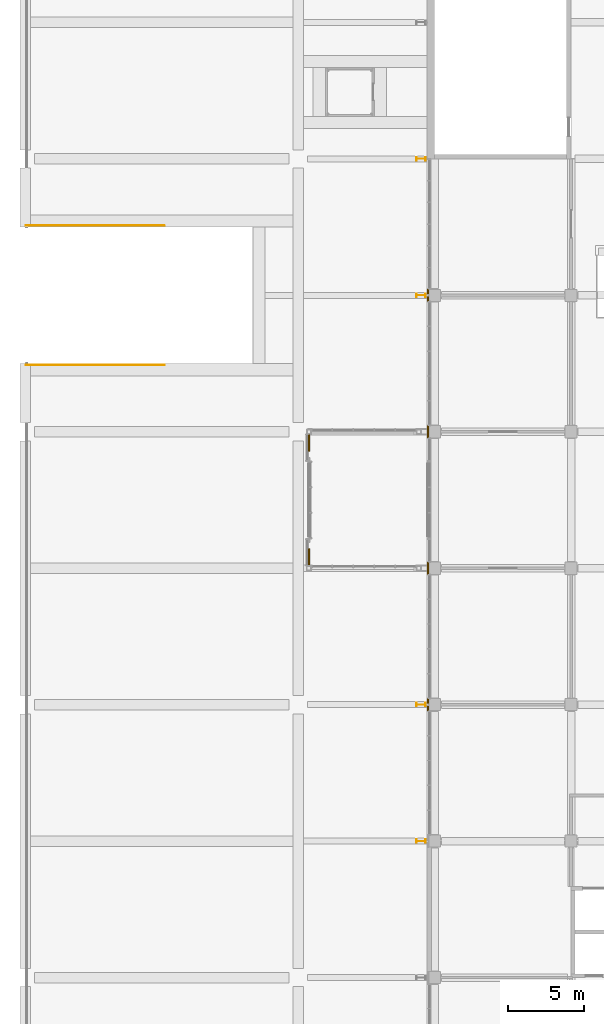
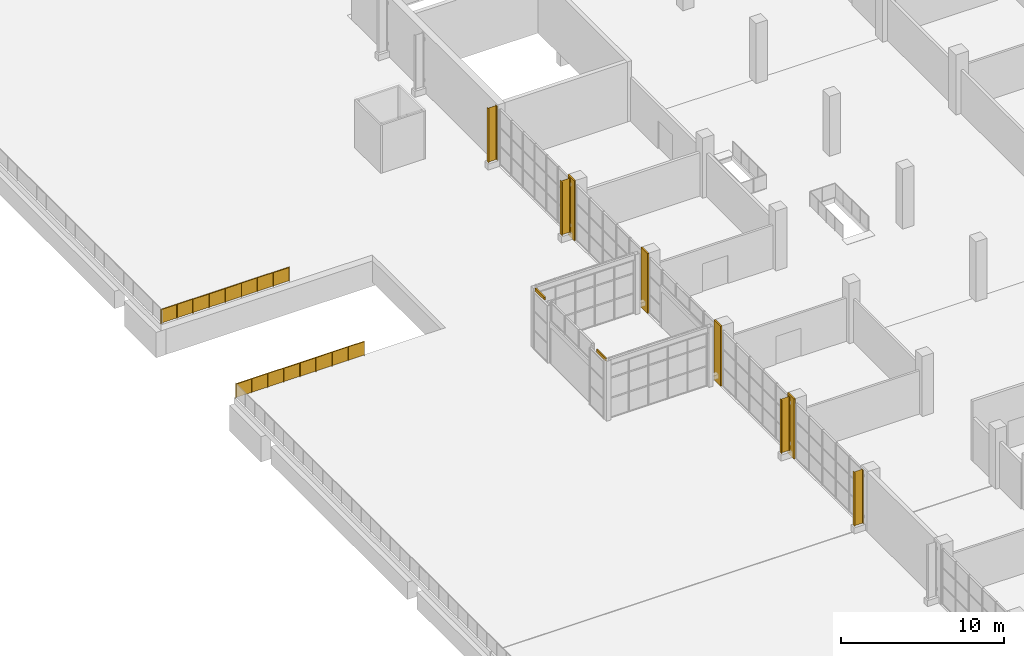
# One storey, part 147 of 168: 6 coverings, 4 shading devices, 2 railings.
"""IFC4 building model written with IfcOpenShell, lengths in metres."""

from ifc_helpers import new_model, si_unit, direction, frame, origin, origin_2d, place, context, subcontext, project, spatial, polyline, circle, i_section, outline, extrude, material, layer, layer_set, material_profile, profile_set, type_object, element, save


model = new_model("IFC4")

# Units and contexts
model_context = context("Model", 3, precision=1e-05, world=origin(), true_north=direction((0.0, 1.0)))
body_context = subcontext(model_context, "Body", "Model", "MODEL_VIEW")
ifc_project = project(units=[si_unit("LENGTHUNIT", "METRE"), si_unit("AREAUNIT", "SQUARE_METRE"), si_unit("VOLUMEUNIT", "CUBIC_METRE"), si_unit("PLANEANGLEUNIT", "RADIAN"), si_unit("MASSUNIT", "GRAM", prefix="KILO")], contexts=[model_context])

# Site, building, storey
site_placement = place(None, origin())
site = spatial("IfcSite", under=ifc_project, at=site_placement, CompositionType="ELEMENT")
building_placement = place(site_placement, origin())
building = spatial("IfcBuilding", under=site, at=building_placement, Name="Silverbay Arena", CompositionType="ELEMENT")
storey_placement = place(building_placement, frame((0.0, 0.0, 7.0)))
storey = spatial("IfcBuildingStorey", under=building, at=storey_placement, Name="L01", CompositionType="ELEMENT", Elevation=7.0)

# Coverings
ifc_material_1 = material(Name="Aluminium composite cladding", Category="aluminium")
ifc_layer_1 = layer(ifc_material_1, 0.10009765625)
ifc_layer_set_1 = layer_set([ifc_layer_1], Name="Aluminium composite cladding")
covering_type_1 = type_object("IfcCoveringType", Name="Canopy band cladding 100", PredefinedType="CLADDING", material=ifc_layer_set_1)
covering_1_placement = place(storey_placement, frame((0.0, 0.0, 4.300048828125)))
element("IfcCovering", 1, at=covering_1_placement, inside=storey, type_object=covering_type_1, Name="Canopy band cladding", PredefinedType="CLADDING", context=body_context, shape_type="SweptSolid", body=[
    extrude(outline(polyline([(18.64990234375, 99.14990234375), (18.75, 99.14990234375), (18.75, 100.300048828125), (18.64990234375, 100.300048828125), (18.64990234375, 99.14990234375)])), origin(), (0.0, 0.0, 1.0), 0.199951171875),
])
covering_2_placement = place(storey_placement, frame((0.0, 0.0, 4.300048828125)))
element("IfcCovering", 2, at=covering_2_placement, inside=storey, type_object=covering_type_1, Name="Canopy band cladding", PredefinedType="CLADDING", context=body_context, shape_type="SweptSolid", body=[
    extrude(outline(polyline([(18.64990234375, 106.699951171875), (18.75, 106.699951171875), (18.75, 107.85009765625), (18.64990234375, 107.85009765625), (18.64990234375, 106.699951171875)])), origin(), (0.0, 0.0, 1.0), 0.199951171875),
])
ifc_material_2 = material(Name="Aluminium composite cladding", Category="aluminium")
ifc_layer_2 = layer(ifc_material_2, 0.10009765625)
ifc_layer_set_2 = layer_set([ifc_layer_2], Name="Aluminium composite cladding")
covering_type_2 = type_object("IfcCoveringType", Name="Column cladding 100", PredefinedType="CLADDING", material=ifc_layer_set_2)
covering_3_placement = place(storey_placement, origin())
element("IfcCovering", 3, at=covering_3_placement, inside=storey, type_object=covering_type_2, Name="West column cladding L01 34", PredefinedType="CLADDING", context=body_context, shape_type="SweptSolid", body=[
    extrude(outline(polyline([(26.5, 89.60009765625), (26.60009765625, 89.60009765625), (26.60009765625, 90.39990234375), (26.5, 90.39990234375), (26.5, 89.60009765625)])), origin(), (0.0, 0.0, 1.0), 4.5),
])
covering_4_placement = place(storey_placement, origin())
element("IfcCovering", 4, at=covering_4_placement, inside=storey, type_object=covering_type_2, Name="West column cladding L01 35", PredefinedType="CLADDING", context=body_context, shape_type="SweptSolid", body=[
    extrude(outline(polyline([(26.5, 98.60009765625), (26.60009765625, 98.60009765625), (26.60009765625, 99.39990234375), (26.5, 99.39990234375), (26.5, 98.60009765625)])), origin(), (0.0, 0.0, 1.0), 4.5),
])
covering_5_placement = place(storey_placement, origin())
element("IfcCovering", 5, at=covering_5_placement, inside=storey, type_object=covering_type_2, Name="West column cladding L01 36", PredefinedType="CLADDING", context=body_context, shape_type="SweptSolid", body=[
    extrude(outline(polyline([(26.5, 107.60009765625), (26.60009765625, 107.60009765625), (26.60009765625, 108.39990234375), (26.5, 108.39990234375), (26.5, 107.60009765625)])), origin(), (0.0, 0.0, 1.0), 4.5),
])
covering_6_placement = place(storey_placement, origin())
element("IfcCovering", 6, at=covering_6_placement, inside=storey, type_object=covering_type_2, Name="West column cladding L01 37", PredefinedType="CLADDING", context=body_context, shape_type="SweptSolid", body=[
    extrude(outline(polyline([(26.5, 116.60009765625), (26.60009765625, 116.60009765625), (26.60009765625, 117.39990234375), (26.5, 117.39990234375), (26.5, 116.60009765625)])), origin(), (0.0, 0.0, 1.0), 4.5),
])

# Railings
ifc_material_3 = material(Name="Stainless steel", Category="steel")
railing_type = type_object("IfcRailingType", Name="Stair guard 1100", PredefinedType="GUARDRAIL", material=ifc_material_3)
railing_1_placement = place(storey_placement, frame((0.050048828125, 112.39990234375, 0.0)))
element("IfcRailing", 7, at=railing_1_placement, inside=storey, type_object=railing_type, Name="Deck stair DS2 well edge guard left", PredefinedType="GUARDRAIL", context=body_context, shape_type="SweptSolid", body=[
    extrude(circle(Radius=0.02392578125, at=origin_2d()), frame((0.0, 0.0, 1.076171875), z_axis=(1.0, 0.0, 0.0), x_axis=(0.0, 1.0, 0.0)), (0.0, 0.0, 1.0), 9.112060546875),
    extrude(outline(polyline([(-0.008056640625, 0.050048828125), (1.14697265625, 0.050048828125), (1.14697265625, 1.052978515625), (-0.008056640625, 1.052978515625), (-0.008056640625, 0.050048828125)])), frame((0.0, 0.0029296875, 0.0), z_axis=(0.0, -1.0, 0.0), x_axis=(1.0, 0.0, 0.0)), (0.0, 0.0, 1.0), 0.006103515625),
    extrude(outline(polyline([(-0.008056640625, 0.050048828125), (1.14697265625, 0.050048828125), (1.14697265625, 1.052978515625), (-0.008056640625, 1.052978515625), (-0.008056640625, 0.050048828125)])), frame((1.138916015625, 0.0029296875, 0.0), z_axis=(0.0, -1.0, 0.0), x_axis=(1.0, 0.0, 0.0)), (0.0, 0.0, 1.0), 0.006103515625),
    extrude(outline(polyline([(-0.008056640625, 0.050048828125), (1.14697265625, 0.050048828125), (1.14697265625, 1.052978515625), (-0.008056640625, 1.052978515625), (-0.008056640625, 0.050048828125)])), frame((2.278076171875, 0.0029296875, 0.0), z_axis=(0.0, -1.0, 0.0), x_axis=(1.0, 0.0, 0.0)), (0.0, 0.0, 1.0), 0.006103515625),
    extrude(outline(polyline([(-0.008056640625, 0.050048828125), (1.14697265625, 0.050048828125), (1.14697265625, 1.052978515625), (-0.008056640625, 1.052978515625), (-0.008056640625, 0.050048828125)])), frame((3.4169921875, 0.0029296875, 0.0), z_axis=(0.0, -1.0, 0.0), x_axis=(1.0, 0.0, 0.0)), (0.0, 0.0, 1.0), 0.006103515625),
    extrude(outline(polyline([(-0.008056640625, 0.050048828125), (1.14697265625, 0.050048828125), (1.14697265625, 1.052978515625), (-0.008056640625, 1.052978515625), (-0.008056640625, 0.050048828125)])), frame((4.55615234375, 0.0029296875, 0.0), z_axis=(0.0, -1.0, 0.0), x_axis=(1.0, 0.0, 0.0)), (0.0, 0.0, 1.0), 0.006103515625),
    extrude(outline(polyline([(-0.008056640625, 0.050048828125), (1.14697265625, 0.050048828125), (1.14697265625, 1.052978515625), (-0.008056640625, 1.052978515625), (-0.008056640625, 0.050048828125)])), frame((5.695068359375, 0.0029296875, 0.0), z_axis=(0.0, -1.0, 0.0), x_axis=(1.0, 0.0, 0.0)), (0.0, 0.0, 1.0), 0.006103515625),
    extrude(outline(polyline([(-0.008056640625, 0.050048828125), (1.14697265625, 0.050048828125), (1.14697265625, 1.052978515625), (-0.008056640625, 1.052978515625), (-0.008056640625, 0.050048828125)])), frame((6.833984375, 0.0029296875, 0.0), z_axis=(0.0, -1.0, 0.0), x_axis=(1.0, 0.0, 0.0)), (0.0, 0.0, 1.0), 0.006103515625),
    extrude(outline(polyline([(-0.008056640625, 0.050048828125), (1.14697265625, 0.050048828125), (1.14697265625, 1.052978515625), (-0.008056640625, 1.052978515625), (-0.008056640625, 0.050048828125)])), frame((7.97314453125, 0.0029296875, 0.0), z_axis=(0.0, -1.0, 0.0), x_axis=(1.0, 0.0, 0.0)), (0.0, 0.0, 1.0), 0.006103515625),
    extrude(circle(Radius=0.02099609375, at=origin_2d()), origin(), (0.0, 0.0, 1.0), 1.052001953125),
    extrude(circle(Radius=0.02099609375, at=origin_2d()), frame((1.138916015625, 0.0, 0.0)), (0.0, 0.0, 1.0), 1.052001953125),
    extrude(circle(Radius=0.02099609375, at=origin_2d()), frame((2.278076171875, 0.0, 0.0)), (0.0, 0.0, 1.0), 1.052001953125),
    extrude(circle(Radius=0.02099609375, at=origin_2d()), frame((3.4169921875, 0.0, 0.0)), (0.0, 0.0, 1.0), 1.052001953125),
    extrude(circle(Radius=0.02099609375, at=origin_2d()), frame((4.55615234375, 0.0, 0.0)), (0.0, 0.0, 1.0), 1.052001953125),
    extrude(circle(Radius=0.02099609375, at=origin_2d()), frame((5.695068359375, 0.0, 0.0)), (0.0, 0.0, 1.0), 1.052001953125),
    extrude(circle(Radius=0.02099609375, at=origin_2d()), frame((6.833984375, 0.0, 0.0)), (0.0, 0.0, 1.0), 1.052001953125),
    extrude(circle(Radius=0.02099609375, at=origin_2d()), frame((7.97314453125, 0.0, 0.0)), (0.0, 0.0, 1.0), 1.052001953125),
    extrude(circle(Radius=0.02099609375, at=origin_2d()), frame((9.112060546875, 0.0, 0.0)), (0.0, 0.0, 1.0), 1.052001953125),
])
railing_2_placement = place(storey_placement, frame((0.050048828125, 121.60009765625, 0.0)))
element("IfcRailing", 8, at=railing_2_placement, inside=storey, type_object=railing_type, Name="Deck stair DS2 well edge guard right", PredefinedType="GUARDRAIL", context=body_context, shape_type="SweptSolid", body=[
    extrude(circle(Radius=0.02392578125, at=origin_2d()), frame((0.0, 0.0, 1.076171875), z_axis=(1.0, 0.0, 0.0), x_axis=(0.0, 1.0, 0.0)), (0.0, 0.0, 1.0), 9.112060546875),
    extrude(outline(polyline([(-0.008056640625, 0.050048828125), (1.14697265625, 0.050048828125), (1.14697265625, 1.052978515625), (-0.008056640625, 1.052978515625), (-0.008056640625, 0.050048828125)])), frame((0.0, 0.0029296875, 0.0), z_axis=(0.0, -1.0, 0.0), x_axis=(1.0, 0.0, 0.0)), (0.0, 0.0, 1.0), 0.006103515625),
    extrude(outline(polyline([(-0.008056640625, 0.050048828125), (1.14697265625, 0.050048828125), (1.14697265625, 1.052978515625), (-0.008056640625, 1.052978515625), (-0.008056640625, 0.050048828125)])), frame((1.138916015625, 0.0029296875, 0.0), z_axis=(0.0, -1.0, 0.0), x_axis=(1.0, 0.0, 0.0)), (0.0, 0.0, 1.0), 0.006103515625),
    extrude(outline(polyline([(-0.008056640625, 0.050048828125), (1.14697265625, 0.050048828125), (1.14697265625, 1.052978515625), (-0.008056640625, 1.052978515625), (-0.008056640625, 0.050048828125)])), frame((2.278076171875, 0.0029296875, 0.0), z_axis=(0.0, -1.0, 0.0), x_axis=(1.0, 0.0, 0.0)), (0.0, 0.0, 1.0), 0.006103515625),
    extrude(outline(polyline([(-0.008056640625, 0.050048828125), (1.14697265625, 0.050048828125), (1.14697265625, 1.052978515625), (-0.008056640625, 1.052978515625), (-0.008056640625, 0.050048828125)])), frame((3.4169921875, 0.0029296875, 0.0), z_axis=(0.0, -1.0, 0.0), x_axis=(1.0, 0.0, 0.0)), (0.0, 0.0, 1.0), 0.006103515625),
    extrude(outline(polyline([(-0.008056640625, 0.050048828125), (1.14697265625, 0.050048828125), (1.14697265625, 1.052978515625), (-0.008056640625, 1.052978515625), (-0.008056640625, 0.050048828125)])), frame((4.55615234375, 0.0029296875, 0.0), z_axis=(0.0, -1.0, 0.0), x_axis=(1.0, 0.0, 0.0)), (0.0, 0.0, 1.0), 0.006103515625),
    extrude(outline(polyline([(-0.008056640625, 0.050048828125), (1.14697265625, 0.050048828125), (1.14697265625, 1.052978515625), (-0.008056640625, 1.052978515625), (-0.008056640625, 0.050048828125)])), frame((5.695068359375, 0.0029296875, 0.0), z_axis=(0.0, -1.0, 0.0), x_axis=(1.0, 0.0, 0.0)), (0.0, 0.0, 1.0), 0.006103515625),
    extrude(outline(polyline([(-0.008056640625, 0.050048828125), (1.14697265625, 0.050048828125), (1.14697265625, 1.052978515625), (-0.008056640625, 1.052978515625), (-0.008056640625, 0.050048828125)])), frame((6.833984375, 0.0029296875, 0.0), z_axis=(0.0, -1.0, 0.0), x_axis=(1.0, 0.0, 0.0)), (0.0, 0.0, 1.0), 0.006103515625),
    extrude(outline(polyline([(-0.008056640625, 0.050048828125), (1.14697265625, 0.050048828125), (1.14697265625, 1.052978515625), (-0.008056640625, 1.052978515625), (-0.008056640625, 0.050048828125)])), frame((7.97314453125, 0.0029296875, 0.0), z_axis=(0.0, -1.0, 0.0), x_axis=(1.0, 0.0, 0.0)), (0.0, 0.0, 1.0), 0.006103515625),
    extrude(circle(Radius=0.02099609375, at=origin_2d()), origin(), (0.0, 0.0, 1.0), 1.052001953125),
    extrude(circle(Radius=0.02099609375, at=origin_2d()), frame((1.138916015625, 0.0, 0.0)), (0.0, 0.0, 1.0), 1.052001953125),
    extrude(circle(Radius=0.02099609375, at=origin_2d()), frame((2.278076171875, 0.0, 0.0)), (0.0, 0.0, 1.0), 1.052001953125),
    extrude(circle(Radius=0.02099609375, at=origin_2d()), frame((3.4169921875, 0.0, 0.0)), (0.0, 0.0, 1.0), 1.052001953125),
    extrude(circle(Radius=0.02099609375, at=origin_2d()), frame((4.55615234375, 0.0, 0.0)), (0.0, 0.0, 1.0), 1.052001953125),
    extrude(circle(Radius=0.02099609375, at=origin_2d()), frame((5.695068359375, 0.0, 0.0)), (0.0, 0.0, 1.0), 1.052001953125),
    extrude(circle(Radius=0.02099609375, at=origin_2d()), frame((6.833984375, 0.0, 0.0)), (0.0, 0.0, 1.0), 1.052001953125),
    extrude(circle(Radius=0.02099609375, at=origin_2d()), frame((7.97314453125, 0.0, 0.0)), (0.0, 0.0, 1.0), 1.052001953125),
    extrude(circle(Radius=0.02099609375, at=origin_2d()), frame((9.112060546875, 0.0, 0.0)), (0.0, 0.0, 1.0), 1.052001953125),
])

# Shading devices
ifc_material_4 = material(Name="Steel S355", Category="steel")
ifc_material_profile = material_profile(ifc_material_4, i_section(OverallWidth=0.2275390625, OverallDepth=0.6025390625, WebThickness=0.010498046875, FlangeThickness=0.014892578125, at=origin_2d()), Name="UB 610x229x101")
ifc_profile_set = profile_set([ifc_material_profile], Name="Steel S355")
shading_device_type = type_object("IfcShadingDeviceType", Name="Steel fin UB 610x229x101", PredefinedType="USERDEFINED", material=ifc_profile_set)
for number, where, z_axis, x_axis, name in (
    (9, (26.0986328125, 81.0, 0.449951171875), (0.0, 0.0, 1.0), (0.0, 1.0, 0.0), "Steel fin W L01 14"),
    (10, (26.0986328125, 90.0, 0.449951171875), (0.0, 0.0, 1.0), (0.0, 1.0, 0.0), "Steel fin W L01 16"),
    (11, (26.0986328125, 117.0, 0.449951171875), (0.0, 0.0, 1.0), (0.0, 1.0, 0.0), "Steel fin W L01 22"),
    (12, (26.0986328125, 126.0, 0.449951171875), (0.0, 0.0, 1.0), (0.0, 1.0, 0.0), "Steel fin W L01 24"),
):
    element("IfcShadingDevice", number, at=place(storey_placement, frame(where, z_axis=z_axis, x_axis=x_axis)), inside=storey, type_object=shading_device_type, Name=name, ObjectType="FIN", PredefinedType="USERDEFINED", context=body_context, shape_type="SweptSolid", body=[
        extrude(i_section(OverallWidth=0.2275390625, OverallDepth=0.6025390625, WebThickness=0.010498046875, FlangeThickness=0.014892578125, at=origin_2d()), origin(), (0.0, 0.0, 1.0), 4.050048828125),
    ])

save(model, "model.ifc")
